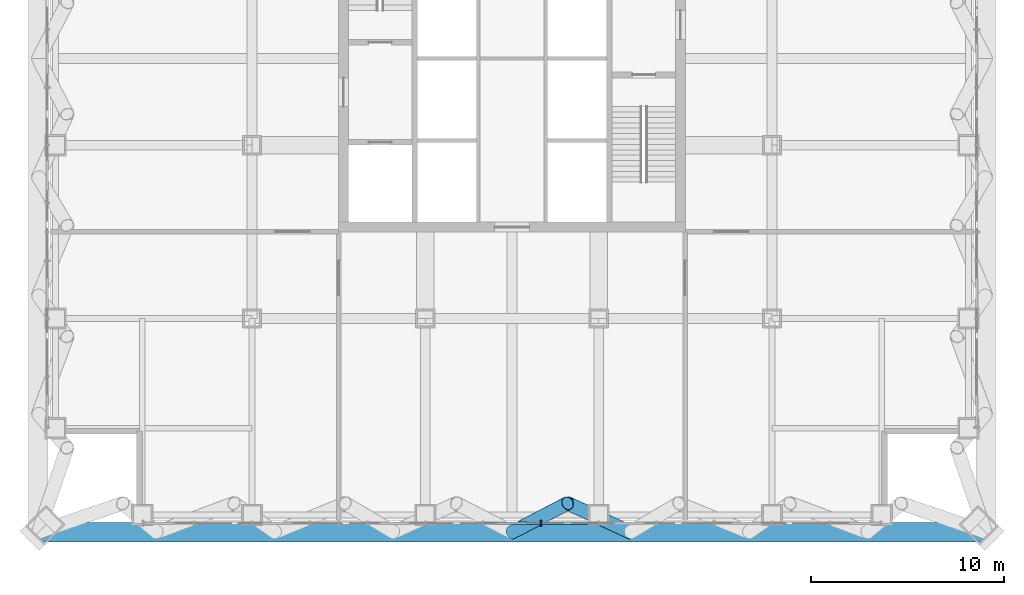
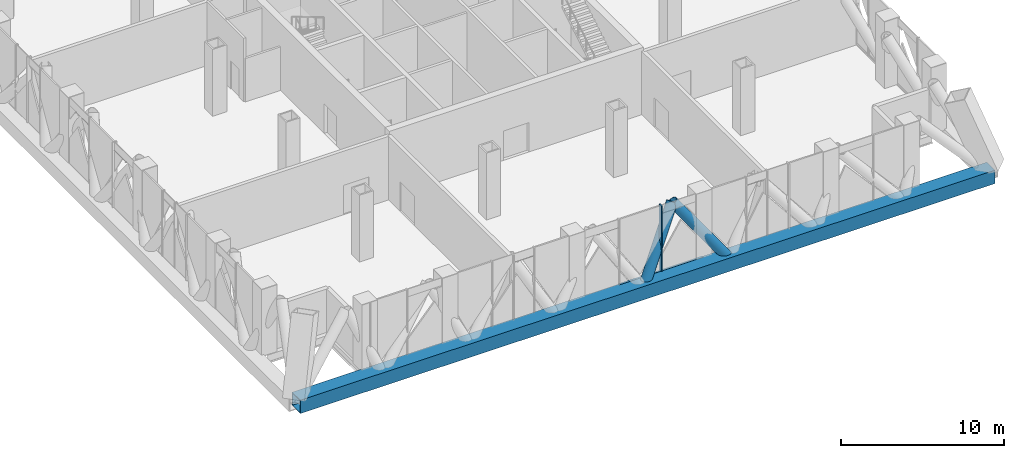
# One storey, part 3 of 29: 6 members, 1 element without a shape of its own.
"""IFC4 building model written with IfcOpenShell, lengths in metres."""

from ifc_helpers import new_model, si_unit, direction, frame, origin, origin_2d, place, context, subcontext, project, spatial, rectangle, hollow_rectangle, hollow_circle, extrude, material, layer, layer_set, material_profile, profile_set, type_object, element, aggregate, save


model = new_model("IFC4")

# Units and contexts
model_context = context("Model", 3, precision=1e-05, world=origin(), true_north=direction((0.0, 1.0)))
body_context = subcontext(model_context, "Body", "Model", "MODEL_VIEW")
ifc_project = project(units=[si_unit("LENGTHUNIT", "METRE"), si_unit("AREAUNIT", "SQUARE_METRE"), si_unit("VOLUMEUNIT", "CUBIC_METRE"), si_unit("PLANEANGLEUNIT", "RADIAN"), si_unit("MASSUNIT", "GRAM", prefix="KILO")], contexts=[model_context])

# Site, building, storey
site_placement = place(None, origin())
site = spatial("IfcSite", under=ifc_project, at=site_placement, CompositionType="ELEMENT")
building_placement = place(site_placement, origin())
building = spatial("IfcBuilding", under=site, at=building_placement, Name="Malebo Sky Hospital", CompositionType="ELEMENT")
storey_placement = place(building_placement, frame((0.0, 0.0, 172.0)))
storey = spatial("IfcBuildingStorey", under=building, at=storey_placement, Name="L41", CompositionType="ELEMENT", Elevation=172.0)

# Curtain wall, members
ifc_material_1 = material(Name="Anodised aluminium, natural silver", Category="aluminium")
ifc_layer = layer(ifc_material_1, 0.25)
ifc_layer_set = layer_set([ifc_layer], Name="PLANT LOUVRE SCREEN")
curtain_wall_type = type_object("IfcCurtainWallType", Name="PLANT LOUVRE SCREEN", PredefinedType="NOTDEFINED", material=ifc_layer_set)
curtain_wall_placement = place(storey_placement, origin())
curtain_wall = element("IfcCurtainWall", 1, at=curtain_wall_placement, inside=storey, type_object=curtain_wall_type, Name="PLANT curtain wall S", PredefinedType="NOTDEFINED")
ifc_material_profile_1 = material_profile(ifc_material_1, rectangle(XDim=0.14990234375, YDim=0.10009765625, at=origin_2d()), Name="ALUMINIUM TRANSOM 150x100")
ifc_profile_set_1 = profile_set([ifc_material_profile_1], Name="Anodised aluminium, natural silver")
member_type_1 = type_object("IfcMemberType", Name="ALUMINIUM TRANSOM 150x100", PredefinedType="USERDEFINED", material=ifc_profile_set_1)
member_1_placement = place(storey_placement, frame((64.46240234375, 37.864990234375, 0.050048828125), z_axis=(-1.0, 0.0, 0.0), x_axis=(0.0, -1.0, 0.0)))
member_1 = element("IfcMember", 2, at=member_1_placement, type_object=member_type_1, Name="Transom 7", ObjectType="TRANSOM", PredefinedType="USERDEFINED", context=body_context, shape_type="SweptSolid", body=[
    extrude(rectangle(XDim=0.14990234375, YDim=0.10009765625, at=origin_2d()), origin(), (0.0, 0.0, 1.0), 2.9248046875),
])
member_2_placement = place(storey_placement, frame((61.46240234375, 37.864990234375, 0.050048828125), z_axis=(-1.0, 0.0, 0.0), x_axis=(0.0, -1.0, 0.0)))
member_2 = element("IfcMember", 3, at=member_2_placement, type_object=member_type_1, Name="Transom 8", ObjectType="TRANSOM", PredefinedType="USERDEFINED", context=body_context, shape_type="SweptSolid", body=[
    extrude(rectangle(XDim=0.14990234375, YDim=0.10009765625, at=origin_2d()), origin(), (0.0, 0.0, 1.0), 2.9248046875),
])

# Members
ifc_material_2 = material(Name="Steel S460", Category="steel")
ifc_material_profile_2 = material_profile(ifc_material_2, hollow_circle(Radius=0.35546875, WallThickness=0.02490234375, at=origin_2d()), Name="CHS 711x25")
ifc_profile_set_2 = profile_set([ifc_material_profile_2], Name="Steel S460")
member_type_2 = type_object("IfcMemberType", Name="BELT TRUSS DIAGONAL CHS 711x25", PredefinedType="BRACE", material=ifc_profile_set_2)
member_3_placement = place(storey_placement, frame((60.0, 37.39990234375, -0.39990234375), z_axis=(0.516208408429, 0.268164746883, 0.813398148262), x_axis=(-0.460995967099, 0.887402230287, 0.0)))
element("IfcMember", 4, at=member_3_placement, inside=storey, type_object=member_type_2, Name="Belt truss diagonal S5.1 L41", PredefinedType="BRACE", context=body_context, shape_type="SweptSolid", body=[
    extrude(hollow_circle(Radius=0.35546875, WallThickness=0.02490234375, at=origin_2d()), origin(), (0.0, 0.0, 1.0), 5.593505859375),
])
member_4_placement = place(storey_placement, frame((62.887451171875, 38.89990234375, 4.14990234375), z_axis=(0.562873957341, -0.258796497336, -0.78498234446), x_axis=(0.417738372703, 0.908567362374, 0.0)))
element("IfcMember", 5, at=member_4_placement, inside=storey, type_object=member_type_2, Name="Belt truss diagonal S5.2 L41", PredefinedType="BRACE", context=body_context, shape_type="SweptSolid", body=[
    extrude(hollow_circle(Radius=0.35546875, WallThickness=0.02490234375, at=origin_2d()), origin(), (0.0, 0.0, 1.0), 5.796142578125),
])

# Member
ifc_material_profile_3 = material_profile(ifc_material_1, rectangle(XDim=0.074951171875, YDim=0.300048828125, at=origin_2d()), Name="CW5 ALUMINIUM FIN MULLION 75x300")
ifc_profile_set_3 = profile_set([ifc_material_profile_3], Name="Anodised aluminium, natural silver")
member_type_3 = type_object("IfcMemberType", Name="CW5 ALUMINIUM FIN MULLION 75x300", PredefinedType="MULLION", material=ifc_profile_set_3)
member_5_placement = place(storey_placement, frame((61.5, 37.864990234375, 0.0), z_axis=(0.0, 0.0, 1.0), x_axis=(-1.0, 0.0, 0.0)))
member_5 = element("IfcMember", 6, at=member_5_placement, type_object=member_type_3, Name="Fin mullion 8", PredefinedType="MULLION", context=body_context, shape_type="SweptSolid", body=[
    extrude(rectangle(XDim=0.074951171875, YDim=0.300048828125, at=origin_2d()), origin(), (0.0, 0.0, 1.0), 5.0),
])

aggregate(curtain_wall, [member_5, member_1, member_2])

ifc_material_profile_4 = material_profile(ifc_material_2, hollow_rectangle(XDim=1.0, YDim=1.0, WallThickness=0.06005859375, at=origin_2d()), Name="BOX 1000x1000x60")
ifc_profile_set_4 = profile_set([ifc_material_profile_4], Name="Steel S460")
member_type_4 = type_object("IfcMemberType", Name="MEGA TIE BOX 1000x1000x60", PredefinedType="CHORD", material=ifc_profile_set_4)
member_6_placement = place(storey_placement, frame((35.39990234375, 37.39990234375, -0.39990234375), z_axis=(1.0, 0.0, 0.0), x_axis=(0.0, 1.0, 0.0)))
element("IfcMember", 7, at=member_6_placement, inside=storey, type_object=member_type_4, Name="Mega tie BS L41", PredefinedType="CHORD", context=body_context, shape_type="SweptSolid", body=[
    extrude(hollow_rectangle(XDim=1.0, YDim=1.0, WallThickness=0.06005859375, at=origin_2d()), origin(), (0.0, 0.0, 1.0), 49.2001953125),
])

save(model, "model.ifc")
